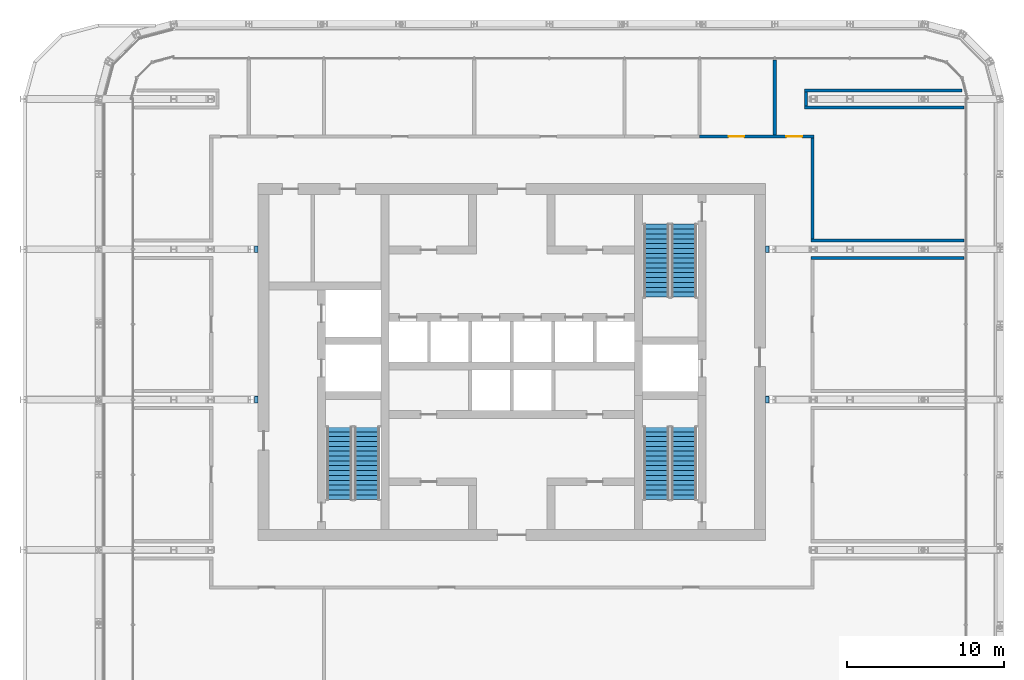
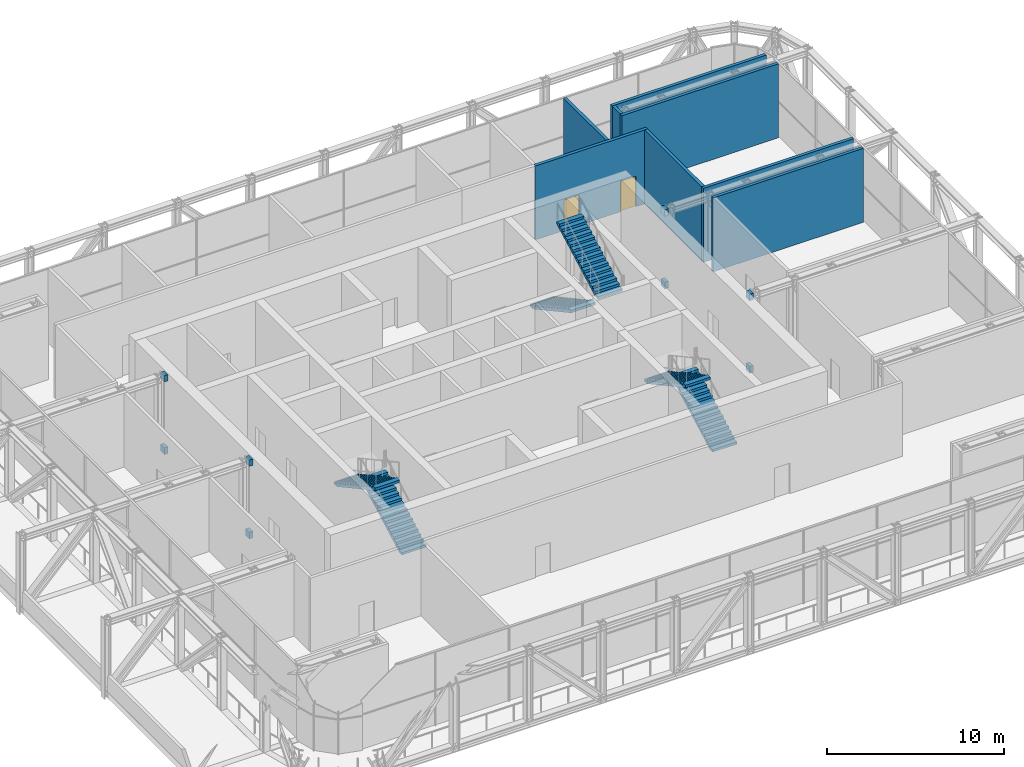
# One storey, part 22 of 30: 8 discrete accessories, 8 walls, 6 stair flights, 2 doors, 2 openings, 3 elements without a shape of their own.
"""IFC4 building model written with IfcOpenShell, lengths in metres."""

from ifc_helpers import new_model, si_unit, direction, frame, frame_2d, origin, origin_2d, place, context, subcontext, project, spatial, polyline, rectangle, outline, extrude, material, layer, layer_set, type_object, element, fill, aggregate, save


model = new_model("IFC4")

# Units and contexts
model_context = context("Model", 3, precision=1e-05, world=origin(), true_north=direction((0.0, 1.0)))
body_context = subcontext(model_context, "Body", "Model", "MODEL_VIEW")
ifc_project = project(units=[si_unit("LENGTHUNIT", "METRE"), si_unit("AREAUNIT", "SQUARE_METRE"), si_unit("VOLUMEUNIT", "CUBIC_METRE"), si_unit("PLANEANGLEUNIT", "RADIAN"), si_unit("MASSUNIT", "GRAM", prefix="KILO")], contexts=[model_context])

# Site, building, storey
site_placement = place(None, origin())
site = spatial("IfcSite", under=ifc_project, at=site_placement, CompositionType="ELEMENT")
building_placement = place(site_placement, origin())
building = spatial("IfcBuilding", under=site, at=building_placement, Name="Madar Terraces", CompositionType="ELEMENT")
storey_placement = place(building_placement, frame((0.0, 0.0, 173.5)))
storey = spatial("IfcBuildingStorey", under=building, at=storey_placement, Name="L45", CompositionType="ELEMENT", Elevation=173.5)

# Walls
ifc_material_1 = material(Name="Blockwork", Category="masonry")
ifc_layer = layer(ifc_material_1, 0.199951171875)
ifc_layer_set = layer_set([ifc_layer], Name="Partition 200 EI 120")
wall_type = type_object("IfcWallType", Name="Partition 200 EI 120", PredefinedType="PARTITIONING", material=ifc_layer_set)
for number, where, z_axis, x_axis, name in (
    (1, (50.300048828125, 33.050048828125, 0.0), (0.0, 0.0, 1.0), (1.0, 0.0, 0.0), "Wall PUMP PLANT ROOM / TRUSS SLOT"),
    (2, (50.300048828125, 34.14990234375, 0.0), (0.0, 0.0, 1.0), (1.0, 0.0, 0.0), "Wall STORE PLANT ROOM / TRUSS SLOT"),
):
    element("IfcWall", number, at=place(storey_placement, frame(where, z_axis=z_axis, x_axis=x_axis)), inside=storey, type_object=wall_type, Name=name, PredefinedType="PARTITIONING", context=body_context, shape_type="SweptSolid", body=[
        extrude(rectangle(XDim=9.800048828125, YDim=0.199951171875, at=frame_2d((4.89990234375, 0.0))), origin(), (0.0, 0.0, 1.0), 5.10009765625),
    ])

# Wall, openings, doors
wall_1_placement = place(storey_placement, frame((43.199951171875, 40.800048828125, 0.0), z_axis=(0.0, 0.0, 1.0), x_axis=(1.0, 0.0, 0.0)))
wall_1 = element("IfcWall", 3, at=wall_1_placement, inside=storey, type_object=wall_type, Name="Wall STORE PLANT ROOM + TRANSFORMER ROOM", PredefinedType="PARTITIONING", context=body_context, shape_type="SweptSolid", body=[
    extrude(rectangle(XDim=7.300048828125, YDim=0.199951171875, at=frame_2d((3.64990234375, 0.0))), origin(), (0.0, 0.0, 1.0), 5.10009765625),
])
opening_1_placement = place(wall_1_placement, frame((5.550048828125, 0.0, 0.0)))
opening_1 = element("IfcOpeningElement", 4, at=opening_1_placement, cuts=wall_1, Name="Opening D33", PredefinedType="OPENING", context=body_context, shape_type="SweptSolid", body=[
    extrude(rectangle(XDim=1.0, YDim=2.10009765625, at=frame_2d((0.5, 1.050048828125))), frame((0.0, 0.10986328125, 0.0), z_axis=(0.0, -1.0, 0.0), x_axis=(1.0, 0.0, 0.0)), (0.0, 0.0, 1.0), 0.219970703125),
])
opening_2_placement = place(wall_1_placement, frame((1.85009765625, 0.0, 0.0)))
opening_2 = element("IfcOpeningElement", 5, at=opening_2_placement, cuts=wall_1, Name="Opening D33", PredefinedType="OPENING", context=body_context, shape_type="SweptSolid", body=[
    extrude(rectangle(XDim=1.0, YDim=2.10009765625, at=frame_2d((0.5, 1.050048828125))), frame((0.0, 0.10986328125, 0.0), z_axis=(0.0, -1.0, 0.0), x_axis=(1.0, 0.0, 0.0)), (0.0, 0.0, 1.0), 0.219970703125),
])
ifc_material_2 = material(Name="Timber door leaf, fire-rated", Category="wood")
door_type = type_object("IfcDoorType", Name="Podium door 1000 x 2100 FD90S", OperationType="NOTDEFINED", PredefinedType="DOOR", material=ifc_material_2)
door_1_placement = place(opening_1_placement, origin())
door_1 = element("IfcDoor", 6, at=door_1_placement, inside=storey, type_object=door_type, Name="Door STORE PLANT ROOM / RING CORRIDOR", OperationType="SINGLE_SWING_RIGHT", OverallHeight=2.10009765625, OverallWidth=1.0, PredefinedType="DOOR", context=body_context, shape_type="SweptSolid", body=[
    extrude(rectangle(XDim=1.0, YDim=2.10009765625, at=frame_2d((0.5, 1.050048828125))), frame((0.0, 0.02490234375, 0.0), z_axis=(0.0, -1.0, 0.0), x_axis=(1.0, 0.0, 0.0)), (0.0, 0.0, 1.0), 0.050048828125),
])
fill(opening_1, door_1)
door_2_placement = place(opening_2_placement, origin())
door_2 = element("IfcDoor", 7, at=door_2_placement, inside=storey, type_object=door_type, Name="Door TRANSFORMER ROOM / RING CORRIDOR", OperationType="SINGLE_SWING_LEFT", OverallHeight=2.10009765625, OverallWidth=1.0, PredefinedType="DOOR", context=body_context, shape_type="SweptSolid", body=[
    extrude(rectangle(XDim=1.0, YDim=2.10009765625, at=frame_2d((0.5, 1.050048828125))), frame((0.0, 0.02490234375, 0.0), z_axis=(0.0, -1.0, 0.0), x_axis=(1.0, 0.0, 0.0)), (0.0, 0.0, 1.0), 0.050048828125),
])
fill(opening_2, door_2)

# Walls
wall_2_placement = place(storey_placement, frame((49.89990234375, 42.64990234375, 0.0), z_axis=(0.0, 0.0, 1.0), x_axis=(1.0, 0.0, 0.0)))
element("IfcWall", 8, at=wall_2_placement, inside=storey, type_object=wall_type, Name="Wall STORE PLANT ROOM / TRUSS SLOT", PredefinedType="PARTITIONING", context=body_context, shape_type="SweptSolid", body=[
    extrude(rectangle(XDim=10.2001953125, YDim=0.199951171875, at=frame_2d((5.10009765625, 0.0))), origin(), (0.0, 0.0, 1.0), 5.10009765625),
])
wall_3_placement = place(storey_placement, frame((49.89990234375, 43.75, 0.0), z_axis=(0.0, 0.0, 1.0), x_axis=(1.0, 0.0, 0.0)))
element("IfcWall", 9, at=wall_3_placement, inside=storey, type_object=wall_type, Name="Wall STORE PLANT ROOM / TRUSS SLOT", PredefinedType="PARTITIONING", context=body_context, shape_type="SweptSolid", body=[
    extrude(rectangle(XDim=10.050048828125, YDim=0.199951171875, at=frame_2d((5.02490234375, 0.0))), origin(), (0.0, 0.0, 1.0), 5.10009765625),
])
wall_4_placement = place(storey_placement, frame((48.0, 40.89990234375, 0.0), z_axis=(0.0, 0.0, 1.0), x_axis=(0.0, 1.0, 0.0)))
element("IfcWall", 10, at=wall_4_placement, inside=storey, type_object=wall_type, Name="Wall STORE PLANT ROOM / TRANSFORMER ROOM", PredefinedType="PARTITIONING", context=body_context, shape_type="SweptSolid", body=[
    extrude(rectangle(XDim=4.800048828125, YDim=0.199951171875, at=frame_2d((2.39990234375, 0.0))), origin(), (0.0, 0.0, 1.0), 5.10009765625),
])
wall_5_placement = place(storey_placement, frame((50.0, 42.75, 0.0), z_axis=(0.0, 0.0, 1.0), x_axis=(0.0, 1.0, 0.0)))
element("IfcWall", 11, at=wall_5_placement, inside=storey, type_object=wall_type, Name="Wall STORE PLANT ROOM / TRUSS SLOT", PredefinedType="PARTITIONING", context=body_context, shape_type="SweptSolid", body=[
    extrude(rectangle(XDim=0.89990234375, YDim=0.199951171875, at=frame_2d((0.449951171875, 0.0))), origin(), (0.0, 0.0, 1.0), 5.10009765625),
])
wall_6_placement = place(storey_placement, frame((50.39990234375, 34.25, 0.0), z_axis=(0.0, 0.0, 1.0), x_axis=(0.0, 1.0, 0.0)))
element("IfcWall", 12, at=wall_6_placement, inside=storey, type_object=wall_type, Name="Wall STORE PLANT ROOM / RING CORRIDOR", PredefinedType="PARTITIONING", context=body_context, shape_type="SweptSolid", body=[
    extrude(rectangle(XDim=6.449951171875, YDim=0.199951171875, at=frame_2d((3.22509765625, 0.0))), origin(), (0.0, 0.0, 1.0), 5.10009765625),
])

# Stair, stair flights
ifc_material_3 = material(Name="Concrete C50/60", Category="concrete")
stair_type_1 = type_object("IfcStairType", Name="Stair ST1 protected exit", PredefinedType="HALF_TURN_STAIR", material=ifc_material_3)
stair_1_placement = place(storey_placement, origin())
stair_1 = element("IfcStair", 13, at=stair_1_placement, inside=storey, type_object=stair_type_1, Name="L45 Protected Exit Stair ST1", PredefinedType="HALF_TURN_STAIR")
ifc_material_4 = material(Name="Concrete C50/60", Category="concrete")
stair_flight_type_1 = type_object("IfcStairFlightType", Name="Stair flight ST1-F3, 1600 wide, 16 risers", PredefinedType="STRAIGHT", material=ifc_material_4)
stair_flight_1_placement = place(storey_placement, frame((21.949951171875, 17.60009765625, 0.0), z_axis=(0.0, 0.0, 1.0), x_axis=(0.0, 1.0, 0.0)))
stair_flight_1 = element("IfcStairFlight", 14, at=stair_flight_1_placement, type_object=stair_flight_type_1, Name="ST1 flight 1", NumberOfRisers=16, NumberOfTreads=15, PredefinedType="STRAIGHT", RiserHeight=0.16875, TreadLength=0.31, context=body_context, shape_type="SweptSolid", body=[
    extrude(outline(polyline([(0.0, 0.0), (0.0, 0.168701171875), (0.31005859375, 0.168701171875), (0.31005859375, 0.33740234375), (0.6201171875, 0.33740234375), (0.6201171875, 0.50634765625), (0.929931640625, 0.50634765625), (0.929931640625, 0.675048828125), (1.239990234375, 0.675048828125), (1.239990234375, 0.84375), (1.550048828125, 0.84375), (1.550048828125, 1.012451171875), (1.860107421875, 1.012451171875), (1.860107421875, 1.18115234375), (2.169921875, 1.18115234375), (2.169921875, 1.35009765625), (2.47998046875, 1.35009765625), (2.47998046875, 1.518798828125), (2.7900390625, 1.518798828125), (2.7900390625, 1.6875), (3.10009765625, 1.6875), (3.10009765625, 1.856201171875), (3.409912109375, 1.856201171875), (3.409912109375, 2.02490234375), (3.719970703125, 2.02490234375), (3.719970703125, 2.19384765625), (4.030029296875, 2.19384765625), (4.030029296875, 2.362548828125), (4.340087890625, 2.362548828125), (4.340087890625, 2.53125), (4.64990234375, 2.53125), (4.64990234375, 2.699951171875), (4.64990234375, 2.360595703125), (0.3134765625, 0.0), (0.0, 0.0)])), frame((0.0, 0.800048828125, 0.0), z_axis=(0.0, -1.0, 0.0), x_axis=(1.0, 0.0, 0.0)), (0.0, 0.0, 1.0), 1.60009765625),
])
stair_flight_2_placement = place(storey_placement, frame((20.199951171875, 22.25, 2.699951171875), z_axis=(0.0, 0.0, 1.0), x_axis=(0.0, -1.0, 0.0)))
stair_flight_2 = element("IfcStairFlight", 15, at=stair_flight_2_placement, type_object=stair_flight_type_1, Name="ST1 flight 2", NumberOfRisers=16, NumberOfTreads=15, PredefinedType="STRAIGHT", RiserHeight=0.16875, TreadLength=0.31, context=body_context, shape_type="SweptSolid", body=[
    extrude(outline(polyline([(0.0, 0.0), (0.0, 0.168701171875), (0.31005859375, 0.168701171875), (0.31005859375, 0.33740234375), (0.6201171875, 0.33740234375), (0.6201171875, 0.50634765625), (0.929931640625, 0.50634765625), (0.929931640625, 0.675048828125), (1.239990234375, 0.675048828125), (1.239990234375, 0.84375), (1.550048828125, 0.84375), (1.550048828125, 1.012451171875), (1.860107421875, 1.012451171875), (1.860107421875, 1.18115234375), (2.169921875, 1.18115234375), (2.169921875, 1.35009765625), (2.47998046875, 1.35009765625), (2.47998046875, 1.518798828125), (2.7900390625, 1.518798828125), (2.7900390625, 1.6875), (3.10009765625, 1.6875), (3.10009765625, 1.856201171875), (3.409912109375, 1.856201171875), (3.409912109375, 2.02490234375), (3.719970703125, 2.02490234375), (3.719970703125, 2.19384765625), (4.030029296875, 2.19384765625), (4.030029296875, 2.362548828125), (4.340087890625, 2.362548828125), (4.340087890625, 2.53125), (4.64990234375, 2.53125), (4.64990234375, 2.699951171875), (4.64990234375, 2.360595703125), (0.3134765625, 0.0), (0.0, 0.0)])), frame((0.0, 0.800048828125, 0.0), z_axis=(0.0, -1.0, 0.0), x_axis=(1.0, 0.0, 0.0)), (0.0, 0.0, 1.0), 1.60009765625),
])
aggregate(stair_1, [stair_flight_1, stair_flight_2])

ifc_material_5 = material(Name="Concrete C50/60", Category="concrete")
stair_type_2 = type_object("IfcStairType", Name="Stair ST2 protected exit", PredefinedType="HALF_TURN_STAIR", material=ifc_material_5)
stair_2_placement = place(storey_placement, origin())
stair_2 = element("IfcStair", 16, at=stair_2_placement, inside=storey, type_object=stair_type_2, Name="L45 Protected Exit Stair ST2", PredefinedType="HALF_TURN_STAIR")
ifc_material_6 = material(Name="Concrete C50/60", Category="concrete")
stair_flight_type_2 = type_object("IfcStairFlightType", Name="Stair flight ST2-F3, 1600 wide, 16 risers", PredefinedType="STRAIGHT", material=ifc_material_6)
stair_flight_3_placement = place(storey_placement, frame((40.449951171875, 35.199951171875, 0.0), z_axis=(0.0, 0.0, 1.0), x_axis=(0.0, -1.0, 0.0)))
stair_flight_3 = element("IfcStairFlight", 17, at=stair_flight_3_placement, type_object=stair_flight_type_2, Name="ST2 flight 1", NumberOfRisers=16, NumberOfTreads=15, PredefinedType="STRAIGHT", RiserHeight=0.16875, TreadLength=0.31, context=body_context, shape_type="SweptSolid", body=[
    extrude(outline(polyline([(0.0, 0.0), (0.0, 0.168701171875), (0.31005859375, 0.168701171875), (0.31005859375, 0.33740234375), (0.6201171875, 0.33740234375), (0.6201171875, 0.50634765625), (0.929931640625, 0.50634765625), (0.929931640625, 0.675048828125), (1.239990234375, 0.675048828125), (1.239990234375, 0.84375), (1.550048828125, 0.84375), (1.550048828125, 1.012451171875), (1.860107421875, 1.012451171875), (1.860107421875, 1.18115234375), (2.169921875, 1.18115234375), (2.169921875, 1.35009765625), (2.47998046875, 1.35009765625), (2.47998046875, 1.518798828125), (2.7900390625, 1.518798828125), (2.7900390625, 1.6875), (3.10009765625, 1.6875), (3.10009765625, 1.856201171875), (3.409912109375, 1.856201171875), (3.409912109375, 2.02490234375), (3.719970703125, 2.02490234375), (3.719970703125, 2.19384765625), (4.030029296875, 2.19384765625), (4.030029296875, 2.362548828125), (4.340087890625, 2.362548828125), (4.340087890625, 2.53125), (4.64990234375, 2.53125), (4.64990234375, 2.699951171875), (4.64990234375, 2.360595703125), (0.3134765625, 0.0), (0.0, 0.0)])), frame((0.0, 0.800048828125, 0.0), z_axis=(0.0, -1.0, 0.0), x_axis=(1.0, 0.0, 0.0)), (0.0, 0.0, 1.0), 1.60009765625),
])
stair_flight_4_placement = place(storey_placement, frame((42.199951171875, 30.550048828125, 2.699951171875), z_axis=(0.0, 0.0, 1.0), x_axis=(0.0, 1.0, 0.0)))
stair_flight_4 = element("IfcStairFlight", 18, at=stair_flight_4_placement, type_object=stair_flight_type_2, Name="ST2 flight 2", NumberOfRisers=16, NumberOfTreads=15, PredefinedType="STRAIGHT", RiserHeight=0.16875, TreadLength=0.31, context=body_context, shape_type="SweptSolid", body=[
    extrude(outline(polyline([(0.0, 0.0), (0.0, 0.168701171875), (0.31005859375, 0.168701171875), (0.31005859375, 0.33740234375), (0.6201171875, 0.33740234375), (0.6201171875, 0.50634765625), (0.929931640625, 0.50634765625), (0.929931640625, 0.675048828125), (1.239990234375, 0.675048828125), (1.239990234375, 0.84375), (1.550048828125, 0.84375), (1.550048828125, 1.012451171875), (1.860107421875, 1.012451171875), (1.860107421875, 1.18115234375), (2.169921875, 1.18115234375), (2.169921875, 1.35009765625), (2.47998046875, 1.35009765625), (2.47998046875, 1.518798828125), (2.7900390625, 1.518798828125), (2.7900390625, 1.6875), (3.10009765625, 1.6875), (3.10009765625, 1.856201171875), (3.409912109375, 1.856201171875), (3.409912109375, 2.02490234375), (3.719970703125, 2.02490234375), (3.719970703125, 2.19384765625), (4.030029296875, 2.19384765625), (4.030029296875, 2.362548828125), (4.340087890625, 2.362548828125), (4.340087890625, 2.53125), (4.64990234375, 2.53125), (4.64990234375, 2.699951171875), (4.64990234375, 2.360595703125), (0.3134765625, 0.0), (0.0, 0.0)])), frame((0.0, 0.800048828125, 0.0), z_axis=(0.0, -1.0, 0.0), x_axis=(1.0, 0.0, 0.0)), (0.0, 0.0, 1.0), 1.60009765625),
])
aggregate(stair_2, [stair_flight_3, stair_flight_4])

ifc_material_7 = material(Name="Concrete C50/60", Category="concrete")
stair_type_3 = type_object("IfcStairType", Name="Stair ST3 protected exit", PredefinedType="HALF_TURN_STAIR", material=ifc_material_7)
stair_3_placement = place(storey_placement, origin())
stair_3 = element("IfcStair", 19, at=stair_3_placement, inside=storey, type_object=stair_type_3, Name="L45 Protected Exit Stair ST3", PredefinedType="HALF_TURN_STAIR")
ifc_material_8 = material(Name="Concrete C50/60", Category="concrete")
stair_flight_type_3 = type_object("IfcStairFlightType", Name="Stair flight ST3-F3, 1600 wide, 16 risers", PredefinedType="STRAIGHT", material=ifc_material_8)
stair_flight_5_placement = place(storey_placement, frame((42.199951171875, 17.60009765625, 0.0), z_axis=(0.0, 0.0, 1.0), x_axis=(0.0, 1.0, 0.0)))
stair_flight_5 = element("IfcStairFlight", 20, at=stair_flight_5_placement, type_object=stair_flight_type_3, Name="ST3 flight 1", NumberOfRisers=16, NumberOfTreads=15, PredefinedType="STRAIGHT", RiserHeight=0.16875, TreadLength=0.31, context=body_context, shape_type="SweptSolid", body=[
    extrude(outline(polyline([(0.0, 0.0), (0.0, 0.168701171875), (0.31005859375, 0.168701171875), (0.31005859375, 0.33740234375), (0.6201171875, 0.33740234375), (0.6201171875, 0.50634765625), (0.929931640625, 0.50634765625), (0.929931640625, 0.675048828125), (1.239990234375, 0.675048828125), (1.239990234375, 0.84375), (1.550048828125, 0.84375), (1.550048828125, 1.012451171875), (1.860107421875, 1.012451171875), (1.860107421875, 1.18115234375), (2.169921875, 1.18115234375), (2.169921875, 1.35009765625), (2.47998046875, 1.35009765625), (2.47998046875, 1.518798828125), (2.7900390625, 1.518798828125), (2.7900390625, 1.6875), (3.10009765625, 1.6875), (3.10009765625, 1.856201171875), (3.409912109375, 1.856201171875), (3.409912109375, 2.02490234375), (3.719970703125, 2.02490234375), (3.719970703125, 2.19384765625), (4.030029296875, 2.19384765625), (4.030029296875, 2.362548828125), (4.340087890625, 2.362548828125), (4.340087890625, 2.53125), (4.64990234375, 2.53125), (4.64990234375, 2.699951171875), (4.64990234375, 2.360595703125), (0.3134765625, 0.0), (0.0, 0.0)])), frame((0.0, 0.800048828125, 0.0), z_axis=(0.0, -1.0, 0.0), x_axis=(1.0, 0.0, 0.0)), (0.0, 0.0, 1.0), 1.60009765625),
])
stair_flight_6_placement = place(storey_placement, frame((40.449951171875, 22.25, 2.699951171875), z_axis=(0.0, 0.0, 1.0), x_axis=(0.0, -1.0, 0.0)))
stair_flight_6 = element("IfcStairFlight", 21, at=stair_flight_6_placement, type_object=stair_flight_type_3, Name="ST3 flight 2", NumberOfRisers=16, NumberOfTreads=15, PredefinedType="STRAIGHT", RiserHeight=0.16875, TreadLength=0.31, context=body_context, shape_type="SweptSolid", body=[
    extrude(outline(polyline([(0.0, 0.0), (0.0, 0.168701171875), (0.31005859375, 0.168701171875), (0.31005859375, 0.33740234375), (0.6201171875, 0.33740234375), (0.6201171875, 0.50634765625), (0.929931640625, 0.50634765625), (0.929931640625, 0.675048828125), (1.239990234375, 0.675048828125), (1.239990234375, 0.84375), (1.550048828125, 0.84375), (1.550048828125, 1.012451171875), (1.860107421875, 1.012451171875), (1.860107421875, 1.18115234375), (2.169921875, 1.18115234375), (2.169921875, 1.35009765625), (2.47998046875, 1.35009765625), (2.47998046875, 1.518798828125), (2.7900390625, 1.518798828125), (2.7900390625, 1.6875), (3.10009765625, 1.6875), (3.10009765625, 1.856201171875), (3.409912109375, 1.856201171875), (3.409912109375, 2.02490234375), (3.719970703125, 2.02490234375), (3.719970703125, 2.19384765625), (4.030029296875, 2.19384765625), (4.030029296875, 2.362548828125), (4.340087890625, 2.362548828125), (4.340087890625, 2.53125), (4.64990234375, 2.53125), (4.64990234375, 2.699951171875), (4.64990234375, 2.360595703125), (0.3134765625, 0.0), (0.0, 0.0)])), frame((0.0, 0.800048828125, 0.0), z_axis=(0.0, -1.0, 0.0), x_axis=(1.0, 0.0, 0.0)), (0.0, 0.0, 1.0), 1.60009765625),
])
aggregate(stair_3, [stair_flight_5, stair_flight_6])

# Discrete accessories
ifc_material_9 = material(Name="Steel, galvanised", Category="steel")
discrete_accessory_type = type_object("IfcDiscreteAccessoryType", Name="Truss bearing plate", PredefinedType="BRACKET", material=ifc_material_9)
discrete_accessory_1_placement = place(storey_placement, frame((14.883544921875, 24.0, -0.419921875), z_axis=(0.0, 0.0, 1.0), x_axis=(1.0, 0.0, 0.0)))
element("IfcDiscreteAccessory", 22, at=discrete_accessory_1_placement, inside=storey, type_object=discrete_accessory_type, Name="Truss bearing plate bottom", PredefinedType="BRACKET", context=body_context, shape_type="SweptSolid", body=[
    extrude(rectangle(XDim=0.23291015625, YDim=0.421630859375, at=origin_2d()), origin(), (0.0, 0.0, 1.0), 0.46484375),
])
discrete_accessory_2_placement = place(storey_placement, frame((14.883544921875, 24.0, 4.58544921875), z_axis=(0.0, 0.0, 1.0), x_axis=(1.0, 0.0, 0.0)))
element("IfcDiscreteAccessory", 23, at=discrete_accessory_2_placement, inside=storey, type_object=discrete_accessory_type, Name="Truss bearing plate top", PredefinedType="BRACKET", context=body_context, shape_type="SweptSolid", body=[
    extrude(rectangle(XDim=0.23291015625, YDim=0.41650390625, at=origin_2d()), origin(), (0.0, 0.0, 1.0), 0.444580078125),
])
discrete_accessory_3_placement = place(storey_placement, frame((14.883544921875, 33.60009765625, -0.419921875), z_axis=(0.0, 0.0, 1.0), x_axis=(1.0, 0.0, 0.0)))
element("IfcDiscreteAccessory", 24, at=discrete_accessory_3_placement, inside=storey, type_object=discrete_accessory_type, Name="Truss bearing plate bottom", PredefinedType="BRACKET", context=body_context, shape_type="SweptSolid", body=[
    extrude(rectangle(XDim=0.23291015625, YDim=0.421630859375, at=origin_2d()), origin(), (0.0, 0.0, 1.0), 0.46484375),
])
discrete_accessory_4_placement = place(storey_placement, frame((14.883544921875, 33.60009765625, 4.58544921875), z_axis=(0.0, 0.0, 1.0), x_axis=(1.0, 0.0, 0.0)))
element("IfcDiscreteAccessory", 25, at=discrete_accessory_4_placement, inside=storey, type_object=discrete_accessory_type, Name="Truss bearing plate top", PredefinedType="BRACKET", context=body_context, shape_type="SweptSolid", body=[
    extrude(rectangle(XDim=0.23291015625, YDim=0.41650390625, at=origin_2d()), origin(), (0.0, 0.0, 1.0), 0.444580078125),
])
discrete_accessory_5_placement = place(storey_placement, frame((47.516357421875, 24.0, -0.419921875), z_axis=(0.0, 0.0, 1.0), x_axis=(1.0, 0.0, 0.0)))
element("IfcDiscreteAccessory", 26, at=discrete_accessory_5_placement, inside=storey, type_object=discrete_accessory_type, Name="Truss bearing plate bottom", PredefinedType="BRACKET", context=body_context, shape_type="SweptSolid", body=[
    extrude(rectangle(XDim=0.23291015625, YDim=0.421630859375, at=origin_2d()), origin(), (0.0, 0.0, 1.0), 0.46484375),
])
discrete_accessory_6_placement = place(storey_placement, frame((47.516357421875, 24.0, 4.58544921875), z_axis=(0.0, 0.0, 1.0), x_axis=(1.0, 0.0, 0.0)))
element("IfcDiscreteAccessory", 27, at=discrete_accessory_6_placement, inside=storey, type_object=discrete_accessory_type, Name="Truss bearing plate top", PredefinedType="BRACKET", context=body_context, shape_type="SweptSolid", body=[
    extrude(rectangle(XDim=0.23291015625, YDim=0.41650390625, at=origin_2d()), origin(), (0.0, 0.0, 1.0), 0.444580078125),
])
discrete_accessory_7_placement = place(storey_placement, frame((47.516357421875, 33.60009765625, -0.419921875), z_axis=(0.0, 0.0, 1.0), x_axis=(1.0, 0.0, 0.0)))
element("IfcDiscreteAccessory", 28, at=discrete_accessory_7_placement, inside=storey, type_object=discrete_accessory_type, Name="Truss bearing plate bottom", PredefinedType="BRACKET", context=body_context, shape_type="SweptSolid", body=[
    extrude(rectangle(XDim=0.23291015625, YDim=0.421630859375, at=origin_2d()), origin(), (0.0, 0.0, 1.0), 0.46484375),
])
discrete_accessory_8_placement = place(storey_placement, frame((47.516357421875, 33.60009765625, 4.58544921875), z_axis=(0.0, 0.0, 1.0), x_axis=(1.0, 0.0, 0.0)))
element("IfcDiscreteAccessory", 29, at=discrete_accessory_8_placement, inside=storey, type_object=discrete_accessory_type, Name="Truss bearing plate top", PredefinedType="BRACKET", context=body_context, shape_type="SweptSolid", body=[
    extrude(rectangle(XDim=0.23291015625, YDim=0.41650390625, at=origin_2d()), origin(), (0.0, 0.0, 1.0), 0.444580078125),
])

save(model, "model.ifc")
